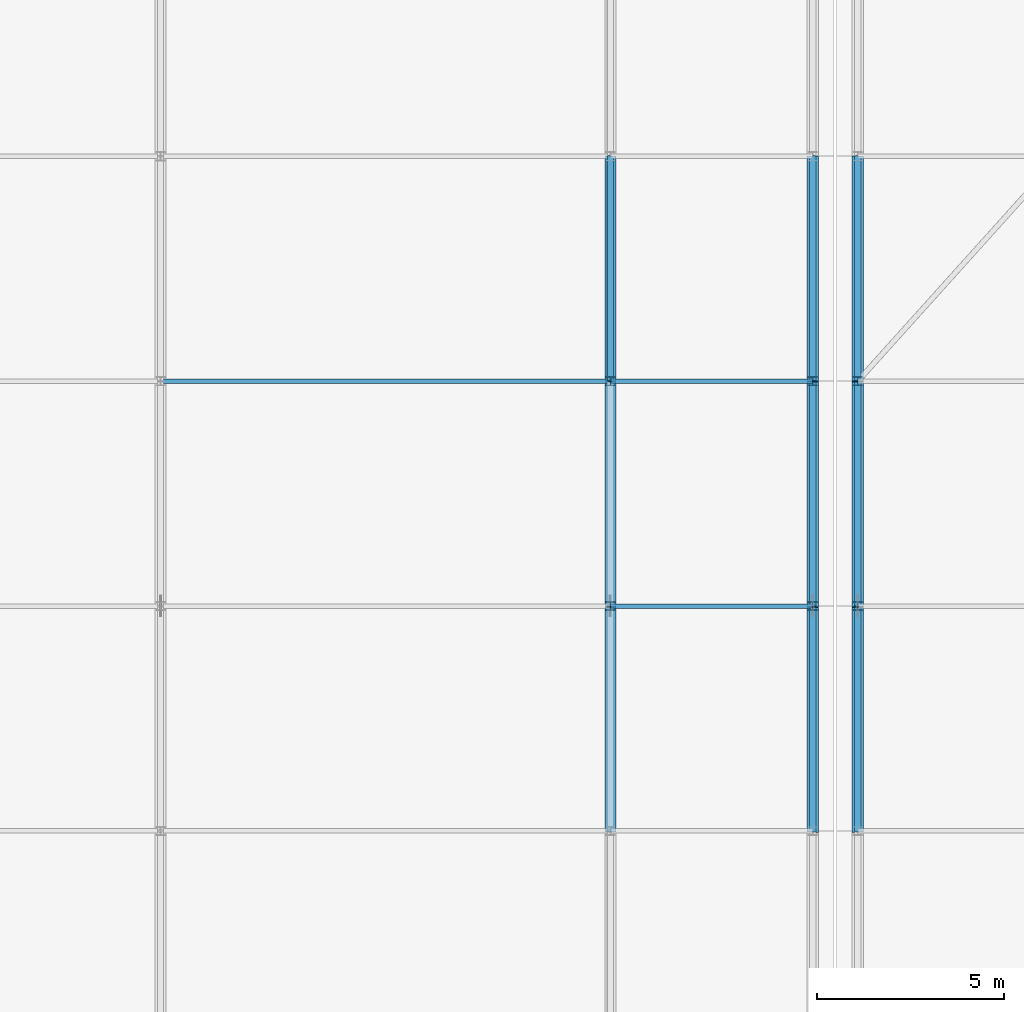
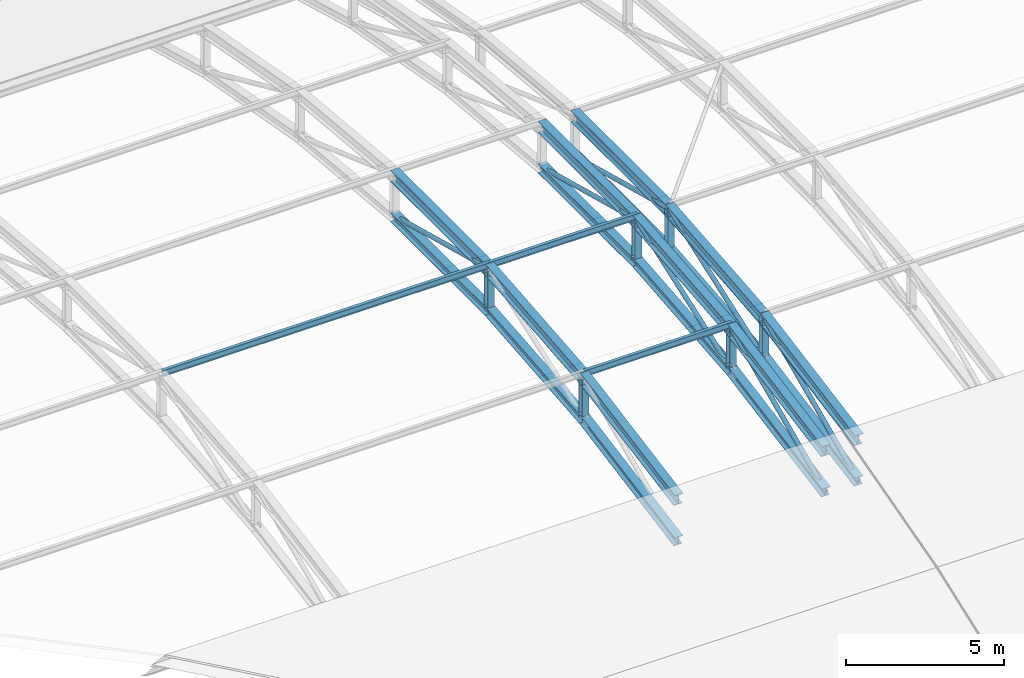
# One storey, part 31 of 204: 34 members.
"""IFC4 building model written with IfcOpenShell, lengths in metres."""

from ifc_helpers import new_model, si_unit, direction, frame, origin, origin_2d, place, context, subcontext, project, spatial, hollow_circle, i_section, extrude, material, material_profile, profile_set, type_object, element, save


model = new_model("IFC4")

# Units and contexts
model_context = context("Model", 3, precision=1e-05, world=origin(), true_north=direction((0.0, 1.0)))
body_context = subcontext(model_context, "Body", "Model", "MODEL_VIEW")
ifc_project = project(units=[si_unit("LENGTHUNIT", "METRE"), si_unit("AREAUNIT", "SQUARE_METRE"), si_unit("VOLUMEUNIT", "CUBIC_METRE"), si_unit("PLANEANGLEUNIT", "RADIAN"), si_unit("MASSUNIT", "GRAM", prefix="KILO")], contexts=[model_context])

# Site, building, storey
site_placement = place(None, origin())
site = spatial("IfcSite", under=ifc_project, at=site_placement, CompositionType="ELEMENT")
building_placement = place(site_placement, origin())
building = spatial("IfcBuilding", under=site, at=building_placement, Name="Zilviju Railside Exhibition Hall", CompositionType="ELEMENT")
storey_placement = place(building_placement, frame((0.0, 0.0, 21.0)))
storey = spatial("IfcBuildingStorey", under=building, at=storey_placement, Name="RF", CompositionType="ELEMENT", Elevation=21.0)

# Members
ifc_material = material(Name="Steel S355J2", Category="steel")
ifc_material_profile_1 = material_profile(ifc_material, hollow_circle(Radius=0.084228515625, WallThickness=0.008056640625, at=origin_2d()), Name="CHS 168.3x8.0")
ifc_profile_set_1 = profile_set([ifc_material_profile_1], Name="Steel S355J2")
member_type_1 = type_object("IfcMemberType", Name="TR-BR-CHS168", PredefinedType="BRACE", material=ifc_profile_set_1)
member_1_placement = place(storey_placement, frame((120.0, 24.0, -0.669189453125), z_axis=(0.0, 0.966240812345, -0.257640626762), x_axis=(-1.0, 0.0, 0.0)))
element("IfcMember", 1, at=member_1_placement, inside=storey, type_object=member_type_1, Name="V1 Parabolic Arch Web Diagonal X=120.0 P5", PredefinedType="BRACE", context=body_context, shape_type="SweptSolid", body=[
    extrude(hollow_circle(Radius=0.084228515625, WallThickness=0.008056640625, at=origin_2d()), origin(), (0.0, 0.0, 1.0), 6.209716796875),
])
member_2_placement = place(storey_placement, frame((125.39990234375, 12.0, -3.928466796875), z_axis=(0.0, 0.911563042822, 0.411160332425), x_axis=(-1.0, 0.0, 0.0)))
element("IfcMember", 2, at=member_2_placement, inside=storey, type_object=member_type_1, Name="V1 Parabolic Arch Web Diagonal X=125.4 P3", PredefinedType="BRACE", context=body_context, shape_type="SweptSolid", body=[
    extrude(hollow_circle(Radius=0.084228515625, WallThickness=0.008056640625, at=origin_2d()), origin(), (0.0, 0.0, 1.0), 6.58203125),
])
member_3_placement = place(storey_placement, frame((125.39990234375, 18.0, -2.822265625), z_axis=(0.0, 0.94123307508, 0.337757751023), x_axis=(-1.0, 0.0, 0.0)))
element("IfcMember", 3, at=member_3_placement, inside=storey, type_object=member_type_1, Name="V1 Parabolic Arch Web Diagonal X=125.4 P4", PredefinedType="BRACE", context=body_context, shape_type="SweptSolid", body=[
    extrude(hollow_circle(Radius=0.084228515625, WallThickness=0.008056640625, at=origin_2d()), origin(), (0.0, 0.0, 1.0), 6.37451171875),
])
member_4_placement = place(storey_placement, frame((125.39990234375, 24.0, -0.669189453125), z_axis=(0.0, 0.966240812345, -0.257640626762), x_axis=(-1.0, 0.0, 0.0)))
element("IfcMember", 4, at=member_4_placement, inside=storey, type_object=member_type_1, Name="V1 Parabolic Arch Web Diagonal X=125.4 P5", PredefinedType="BRACE", context=body_context, shape_type="SweptSolid", body=[
    extrude(hollow_circle(Radius=0.084228515625, WallThickness=0.008056640625, at=origin_2d()), origin(), (0.0, 0.0, 1.0), 6.209716796875),
])
member_5_placement = place(storey_placement, frame((126.60009765625, 12.0, -3.928466796875), z_axis=(0.0, 0.911563042822, 0.411160332425), x_axis=(-1.0, 0.0, 0.0)))
element("IfcMember", 5, at=member_5_placement, inside=storey, type_object=member_type_1, Name="V1 Parabolic Arch Web Diagonal X=126.6 P3", PredefinedType="BRACE", context=body_context, shape_type="SweptSolid", body=[
    extrude(hollow_circle(Radius=0.084228515625, WallThickness=0.008056640625, at=origin_2d()), origin(), (0.0, 0.0, 1.0), 6.58203125),
])
member_6_placement = place(storey_placement, frame((126.60009765625, 18.0, -2.822265625), z_axis=(0.0, 0.94123307508, 0.337757751023), x_axis=(-1.0, 0.0, 0.0)))
element("IfcMember", 6, at=member_6_placement, inside=storey, type_object=member_type_1, Name="V1 Parabolic Arch Web Diagonal X=126.6 P4", PredefinedType="BRACE", context=body_context, shape_type="SweptSolid", body=[
    extrude(hollow_circle(Radius=0.084228515625, WallThickness=0.008056640625, at=origin_2d()), origin(), (0.0, 0.0, 1.0), 6.37451171875),
])
member_7_placement = place(storey_placement, frame((126.60009765625, 24.0, -0.669189453125), z_axis=(0.0, 0.966240812345, -0.257640626762), x_axis=(-1.0, 0.0, 0.0)))
element("IfcMember", 7, at=member_7_placement, inside=storey, type_object=member_type_1, Name="V1 Parabolic Arch Web Diagonal X=126.6 P5", PredefinedType="BRACE", context=body_context, shape_type="SweptSolid", body=[
    extrude(hollow_circle(Radius=0.084228515625, WallThickness=0.008056640625, at=origin_2d()), origin(), (0.0, 0.0, 1.0), 6.209716796875),
])
ifc_material_profile_2 = material_profile(ifc_material, i_section(OverallWidth=0.300048828125, OverallDepth=0.360107421875, WebThickness=0.012451171875, FlangeThickness=0.0224609375, at=origin_2d()), Name="HEB 360")
ifc_profile_set_2 = profile_set([ifc_material_profile_2], Name="Steel S355J2")
member_type_2 = type_object("IfcMemberType", Name="TR-CH-HEB360", PredefinedType="CHORD", material=ifc_profile_set_2)
member_8_placement = place(storey_placement, frame((120.0, 12.0, -3.928466796875), z_axis=(0.0, 0.98342578549, 0.18131112606), x_axis=(-1.0, 0.0, 0.0)))
element("IfcMember", 8, at=member_8_placement, inside=storey, type_object=member_type_2, Name="V1 Parabolic Arch Bottom Chord X=120.0 P3", PredefinedType="CHORD", context=body_context, shape_type="SweptSolid", body=[
    extrude(i_section(OverallWidth=0.300048828125, OverallDepth=0.360107421875, WebThickness=0.012451171875, FlangeThickness=0.0224609375, at=origin_2d()), origin(), (0.0, 0.0, 1.0), 6.10107421875),
])
member_9_placement = place(storey_placement, frame((120.0, 18.0, -2.822265625), z_axis=(0.0, 0.995776144786, 0.091814320641), x_axis=(-1.0, 0.0, 0.0)))
element("IfcMember", 9, at=member_9_placement, inside=storey, type_object=member_type_2, Name="V1 Parabolic Arch Bottom Chord X=120.0 P4", PredefinedType="CHORD", context=body_context, shape_type="SweptSolid", body=[
    extrude(i_section(OverallWidth=0.300048828125, OverallDepth=0.360107421875, WebThickness=0.012451171875, FlangeThickness=0.0224609375, at=origin_2d()), origin(), (0.0, 0.0, 1.0), 6.025390625),
])
member_10_placement = place(storey_placement, frame((120.0, 24.0, -2.26904296875), z_axis=(0.0, 1.0, 0.0), x_axis=(-1.0, 0.0, 0.0)))
element("IfcMember", 10, at=member_10_placement, inside=storey, type_object=member_type_2, Name="V1 Parabolic Arch Bottom Chord X=120.0 P5", PredefinedType="CHORD", context=body_context, shape_type="SweptSolid", body=[
    extrude(i_section(OverallWidth=0.300048828125, OverallDepth=0.360107421875, WebThickness=0.012451171875, FlangeThickness=0.0224609375, at=origin_2d()), origin(), (0.0, 0.0, 1.0), 6.0),
])
member_11_placement = place(storey_placement, frame((125.39990234375, 12.0, -3.928466796875), z_axis=(0.0, 0.98342578549, 0.18131112606), x_axis=(-1.0, 0.0, 0.0)))
element("IfcMember", 11, at=member_11_placement, inside=storey, type_object=member_type_2, Name="V1 Parabolic Arch Bottom Chord X=125.4 P3", PredefinedType="CHORD", context=body_context, shape_type="SweptSolid", body=[
    extrude(i_section(OverallWidth=0.300048828125, OverallDepth=0.360107421875, WebThickness=0.012451171875, FlangeThickness=0.0224609375, at=origin_2d()), origin(), (0.0, 0.0, 1.0), 6.10107421875),
])
member_12_placement = place(storey_placement, frame((125.39990234375, 18.0, -2.822265625), z_axis=(0.0, 0.995776144786, 0.091814320641), x_axis=(-1.0, 0.0, 0.0)))
element("IfcMember", 12, at=member_12_placement, inside=storey, type_object=member_type_2, Name="V1 Parabolic Arch Bottom Chord X=125.4 P4", PredefinedType="CHORD", context=body_context, shape_type="SweptSolid", body=[
    extrude(i_section(OverallWidth=0.300048828125, OverallDepth=0.360107421875, WebThickness=0.012451171875, FlangeThickness=0.0224609375, at=origin_2d()), origin(), (0.0, 0.0, 1.0), 6.025390625),
])
member_13_placement = place(storey_placement, frame((125.39990234375, 24.0, -2.26904296875), z_axis=(0.0, 1.0, 0.0), x_axis=(-1.0, 0.0, 0.0)))
element("IfcMember", 13, at=member_13_placement, inside=storey, type_object=member_type_2, Name="V1 Parabolic Arch Bottom Chord X=125.4 P5", PredefinedType="CHORD", context=body_context, shape_type="SweptSolid", body=[
    extrude(i_section(OverallWidth=0.300048828125, OverallDepth=0.360107421875, WebThickness=0.012451171875, FlangeThickness=0.0224609375, at=origin_2d()), origin(), (0.0, 0.0, 1.0), 6.0),
])
member_14_placement = place(storey_placement, frame((126.60009765625, 12.0, -3.928466796875), z_axis=(0.0, 0.98342578549, 0.18131112606), x_axis=(-1.0, 0.0, 0.0)))
element("IfcMember", 14, at=member_14_placement, inside=storey, type_object=member_type_2, Name="V1 Parabolic Arch Bottom Chord X=126.6 P3", PredefinedType="CHORD", context=body_context, shape_type="SweptSolid", body=[
    extrude(i_section(OverallWidth=0.300048828125, OverallDepth=0.360107421875, WebThickness=0.012451171875, FlangeThickness=0.0224609375, at=origin_2d()), origin(), (0.0, 0.0, 1.0), 6.10107421875),
])
member_15_placement = place(storey_placement, frame((126.60009765625, 18.0, -2.822265625), z_axis=(0.0, 0.995776144786, 0.091814320641), x_axis=(-1.0, 0.0, 0.0)))
element("IfcMember", 15, at=member_15_placement, inside=storey, type_object=member_type_2, Name="V1 Parabolic Arch Bottom Chord X=126.6 P4", PredefinedType="CHORD", context=body_context, shape_type="SweptSolid", body=[
    extrude(i_section(OverallWidth=0.300048828125, OverallDepth=0.360107421875, WebThickness=0.012451171875, FlangeThickness=0.0224609375, at=origin_2d()), origin(), (0.0, 0.0, 1.0), 6.025390625),
])
member_16_placement = place(storey_placement, frame((126.60009765625, 24.0, -2.26904296875), z_axis=(0.0, 1.0, 0.0), x_axis=(-1.0, 0.0, 0.0)))
element("IfcMember", 16, at=member_16_placement, inside=storey, type_object=member_type_2, Name="V1 Parabolic Arch Bottom Chord X=126.6 P5", PredefinedType="CHORD", context=body_context, shape_type="SweptSolid", body=[
    extrude(i_section(OverallWidth=0.300048828125, OverallDepth=0.360107421875, WebThickness=0.012451171875, FlangeThickness=0.0224609375, at=origin_2d()), origin(), (0.0, 0.0, 1.0), 6.0),
])
ifc_material_profile_3 = material_profile(ifc_material, i_section(OverallWidth=0.300048828125, OverallDepth=0.449951171875, WebThickness=0.013916015625, FlangeThickness=0.02587890625, at=origin_2d()), Name="HEB 450")
ifc_profile_set_3 = profile_set([ifc_material_profile_3], Name="Steel S355J2")
member_type_3 = type_object("IfcMemberType", Name="TR-CH-HEB450", PredefinedType="CHORD", material=ifc_profile_set_3)
member_17_placement = place(storey_placement, frame((120.0, 12.0, -2.328369140625), z_axis=(0.0, 0.98342578549, 0.18131112606), x_axis=(-1.0, 0.0, 0.0)))
element("IfcMember", 17, at=member_17_placement, inside=storey, type_object=member_type_3, Name="V1 Parabolic Arch Top Chord X=120.0 P3", PredefinedType="CHORD", context=body_context, shape_type="SweptSolid", body=[
    extrude(i_section(OverallWidth=0.300048828125, OverallDepth=0.449951171875, WebThickness=0.013916015625, FlangeThickness=0.02587890625, at=origin_2d()), origin(), (0.0, 0.0, 1.0), 6.10107421875),
])
member_18_placement = place(storey_placement, frame((120.0, 18.0, -1.22216796875), z_axis=(0.0, 0.99577984843, 0.091774143746), x_axis=(-1.0, 0.0, 0.0)))
element("IfcMember", 18, at=member_18_placement, inside=storey, type_object=member_type_3, Name="V1 Parabolic Arch Top Chord X=120.0 P4", PredefinedType="CHORD", context=body_context, shape_type="SweptSolid", body=[
    extrude(i_section(OverallWidth=0.300048828125, OverallDepth=0.449951171875, WebThickness=0.013916015625, FlangeThickness=0.02587890625, at=origin_2d()), origin(), (0.0, 0.0, 1.0), 6.025390625),
])
member_19_placement = place(storey_placement, frame((120.0, 24.0, -0.669189453125), z_axis=(0.0, 1.0, 0.0), x_axis=(-1.0, 0.0, 0.0)))
element("IfcMember", 19, at=member_19_placement, inside=storey, type_object=member_type_3, Name="V1 Parabolic Arch Top Chord X=120.0 P5", PredefinedType="CHORD", context=body_context, shape_type="SweptSolid", body=[
    extrude(i_section(OverallWidth=0.300048828125, OverallDepth=0.449951171875, WebThickness=0.013916015625, FlangeThickness=0.02587890625, at=origin_2d()), origin(), (0.0, 0.0, 1.0), 6.0),
])
member_20_placement = place(storey_placement, frame((125.39990234375, 12.0, -2.328369140625), z_axis=(0.0, 0.98342578549, 0.18131112606), x_axis=(-1.0, 0.0, 0.0)))
element("IfcMember", 20, at=member_20_placement, inside=storey, type_object=member_type_3, Name="V1 Parabolic Arch Top Chord X=125.4 P3", PredefinedType="CHORD", context=body_context, shape_type="SweptSolid", body=[
    extrude(i_section(OverallWidth=0.300048828125, OverallDepth=0.449951171875, WebThickness=0.013916015625, FlangeThickness=0.02587890625, at=origin_2d()), origin(), (0.0, 0.0, 1.0), 6.10107421875),
])
member_21_placement = place(storey_placement, frame((125.39990234375, 18.0, -1.22216796875), z_axis=(0.0, 0.99577984843, 0.091774143746), x_axis=(-1.0, 0.0, 0.0)))
element("IfcMember", 21, at=member_21_placement, inside=storey, type_object=member_type_3, Name="V1 Parabolic Arch Top Chord X=125.4 P4", PredefinedType="CHORD", context=body_context, shape_type="SweptSolid", body=[
    extrude(i_section(OverallWidth=0.300048828125, OverallDepth=0.449951171875, WebThickness=0.013916015625, FlangeThickness=0.02587890625, at=origin_2d()), origin(), (0.0, 0.0, 1.0), 6.025390625),
])
member_22_placement = place(storey_placement, frame((125.39990234375, 24.0, -0.669189453125), z_axis=(0.0, 1.0, 0.0), x_axis=(-1.0, 0.0, 0.0)))
element("IfcMember", 22, at=member_22_placement, inside=storey, type_object=member_type_3, Name="V1 Parabolic Arch Top Chord X=125.4 P5", PredefinedType="CHORD", context=body_context, shape_type="SweptSolid", body=[
    extrude(i_section(OverallWidth=0.300048828125, OverallDepth=0.449951171875, WebThickness=0.013916015625, FlangeThickness=0.02587890625, at=origin_2d()), origin(), (0.0, 0.0, 1.0), 6.0),
])
member_23_placement = place(storey_placement, frame((126.60009765625, 12.0, -2.328369140625), z_axis=(0.0, 0.98342578549, 0.18131112606), x_axis=(-1.0, 0.0, 0.0)))
element("IfcMember", 23, at=member_23_placement, inside=storey, type_object=member_type_3, Name="V1 Parabolic Arch Top Chord X=126.6 P3", PredefinedType="CHORD", context=body_context, shape_type="SweptSolid", body=[
    extrude(i_section(OverallWidth=0.300048828125, OverallDepth=0.449951171875, WebThickness=0.013916015625, FlangeThickness=0.02587890625, at=origin_2d()), origin(), (0.0, 0.0, 1.0), 6.10107421875),
])
member_24_placement = place(storey_placement, frame((126.60009765625, 18.0, -1.22216796875), z_axis=(0.0, 0.99577984843, 0.091774143746), x_axis=(-1.0, 0.0, 0.0)))
element("IfcMember", 24, at=member_24_placement, inside=storey, type_object=member_type_3, Name="V1 Parabolic Arch Top Chord X=126.6 P4", PredefinedType="CHORD", context=body_context, shape_type="SweptSolid", body=[
    extrude(i_section(OverallWidth=0.300048828125, OverallDepth=0.449951171875, WebThickness=0.013916015625, FlangeThickness=0.02587890625, at=origin_2d()), origin(), (0.0, 0.0, 1.0), 6.025390625),
])
member_25_placement = place(storey_placement, frame((126.60009765625, 24.0, -0.669189453125), z_axis=(0.0, 1.0, 0.0), x_axis=(-1.0, 0.0, 0.0)))
element("IfcMember", 25, at=member_25_placement, inside=storey, type_object=member_type_3, Name="V1 Parabolic Arch Top Chord X=126.6 P5", PredefinedType="CHORD", context=body_context, shape_type="SweptSolid", body=[
    extrude(i_section(OverallWidth=0.300048828125, OverallDepth=0.449951171875, WebThickness=0.013916015625, FlangeThickness=0.02587890625, at=origin_2d()), origin(), (0.0, 0.0, 1.0), 6.0),
])
ifc_material_profile_4 = material_profile(ifc_material, i_section(OverallWidth=0.239990234375, OverallDepth=0.22998046875, WebThickness=0.007568359375, FlangeThickness=0.011962890625, at=origin_2d()), Name="HEA 240")
ifc_profile_set_4 = profile_set([ifc_material_profile_4], Name="Steel S355J2")
member_type_4 = type_object("IfcMemberType", Name="TR-POST-HEA240", PredefinedType="POST", material=ifc_profile_set_4)
member_26_placement = place(storey_placement, frame((120.0, 18.0, -2.822265625), z_axis=(0.0, 0.0, 1.0), x_axis=(1.0, 0.0, 0.0)))
element("IfcMember", 26, at=member_26_placement, inside=storey, type_object=member_type_4, Name="V1 Parabolic Arch Web Post X=120.0 N3", PredefinedType="POST", context=body_context, shape_type="SweptSolid", body=[
    extrude(i_section(OverallWidth=0.239990234375, OverallDepth=0.22998046875, WebThickness=0.007568359375, FlangeThickness=0.011962890625, at=origin_2d()), origin(), (0.0, 0.0, 1.0), 1.60009765625),
])
member_27_placement = place(storey_placement, frame((120.0, 24.0, -2.26904296875), z_axis=(0.0, 0.0, 1.0), x_axis=(1.0, 0.0, 0.0)))
element("IfcMember", 27, at=member_27_placement, inside=storey, type_object=member_type_4, Name="V1 Parabolic Arch Web Post X=120.0 N4", PredefinedType="POST", context=body_context, shape_type="SweptSolid", body=[
    extrude(i_section(OverallWidth=0.239990234375, OverallDepth=0.22998046875, WebThickness=0.007568359375, FlangeThickness=0.011962890625, at=origin_2d()), origin(), (0.0, 0.0, 1.0), 1.599853515625),
])
member_28_placement = place(storey_placement, frame((125.39990234375, 18.0, -2.822265625), z_axis=(0.0, 0.0, 1.0), x_axis=(1.0, 0.0, 0.0)))
element("IfcMember", 28, at=member_28_placement, inside=storey, type_object=member_type_4, Name="V1 Parabolic Arch Web Post X=125.4 N3", PredefinedType="POST", context=body_context, shape_type="SweptSolid", body=[
    extrude(i_section(OverallWidth=0.239990234375, OverallDepth=0.22998046875, WebThickness=0.007568359375, FlangeThickness=0.011962890625, at=origin_2d()), origin(), (0.0, 0.0, 1.0), 1.60009765625),
])
member_29_placement = place(storey_placement, frame((125.39990234375, 24.0, -2.26904296875), z_axis=(0.0, 0.0, 1.0), x_axis=(1.0, 0.0, 0.0)))
element("IfcMember", 29, at=member_29_placement, inside=storey, type_object=member_type_4, Name="V1 Parabolic Arch Web Post X=125.4 N4", PredefinedType="POST", context=body_context, shape_type="SweptSolid", body=[
    extrude(i_section(OverallWidth=0.239990234375, OverallDepth=0.22998046875, WebThickness=0.007568359375, FlangeThickness=0.011962890625, at=origin_2d()), origin(), (0.0, 0.0, 1.0), 1.599853515625),
])
member_30_placement = place(storey_placement, frame((126.60009765625, 18.0, -2.822265625), z_axis=(0.0, 0.0, 1.0), x_axis=(1.0, 0.0, 0.0)))
element("IfcMember", 30, at=member_30_placement, inside=storey, type_object=member_type_4, Name="V1 Parabolic Arch Web Post X=126.6 N3", PredefinedType="POST", context=body_context, shape_type="SweptSolid", body=[
    extrude(i_section(OverallWidth=0.239990234375, OverallDepth=0.22998046875, WebThickness=0.007568359375, FlangeThickness=0.011962890625, at=origin_2d()), origin(), (0.0, 0.0, 1.0), 1.60009765625),
])
member_31_placement = place(storey_placement, frame((126.60009765625, 24.0, -2.26904296875), z_axis=(0.0, 0.0, 1.0), x_axis=(1.0, 0.0, 0.0)))
element("IfcMember", 31, at=member_31_placement, inside=storey, type_object=member_type_4, Name="V1 Parabolic Arch Web Post X=126.6 N4", PredefinedType="POST", context=body_context, shape_type="SweptSolid", body=[
    extrude(i_section(OverallWidth=0.239990234375, OverallDepth=0.22998046875, WebThickness=0.007568359375, FlangeThickness=0.011962890625, at=origin_2d()), origin(), (0.0, 0.0, 1.0), 1.599853515625),
])
ifc_material_profile_5 = material_profile(ifc_material, i_section(OverallWidth=0.1201171875, OverallDepth=0.239990234375, WebThickness=0.006103515625, FlangeThickness=0.009765625, at=origin_2d()), Name="IPE 240")
ifc_profile_set_5 = profile_set([ifc_material_profile_5], Name="Steel S355J2")
member_type_5 = type_object("IfcMemberType", Name="TR-PUR-IPE240", PredefinedType="PURLIN", material=ifc_profile_set_5)
member_32_placement = place(storey_placement, frame((108.0, 24.0, -0.515625), z_axis=(1.0, 0.0, 0.0), x_axis=(0.0, 1.0, 0.0)))
element("IfcMember", 32, at=member_32_placement, inside=storey, type_object=member_type_5, Name="V1 Barrel Vault Roof Purlin Y=24.0 (108.0..120.0)", PredefinedType="PURLIN", context=body_context, shape_type="SweptSolid", body=[
    extrude(i_section(OverallWidth=0.1201171875, OverallDepth=0.239990234375, WebThickness=0.006103515625, FlangeThickness=0.009765625, at=origin_2d()), origin(), (0.0, 0.0, 1.0), 12.0),
])
for number, where, z_axis, x_axis, name in (
    (33, (120.0, 18.0, -1.0771484375), (1.0, 0.0, 0.0), (0.0, 1.0, 0.0), "V1 Barrel Vault Roof Purlin Y=18.0 (120.0..125.4)"),
    (34, (120.0, 24.0, -0.515625), (1.0, 0.0, 0.0), (0.0, 1.0, 0.0), "V1 Barrel Vault Roof Purlin Y=24.0 (120.0..125.4)"),
):
    element("IfcMember", number, at=place(storey_placement, frame(where, z_axis=z_axis, x_axis=x_axis)), inside=storey, type_object=member_type_5, Name=name, PredefinedType="PURLIN", context=body_context, shape_type="SweptSolid", body=[
        extrude(i_section(OverallWidth=0.1201171875, OverallDepth=0.239990234375, WebThickness=0.006103515625, FlangeThickness=0.009765625, at=origin_2d()), origin(), (0.0, 0.0, 1.0), 5.39990234375),
    ])

save(model, "model.ifc")
